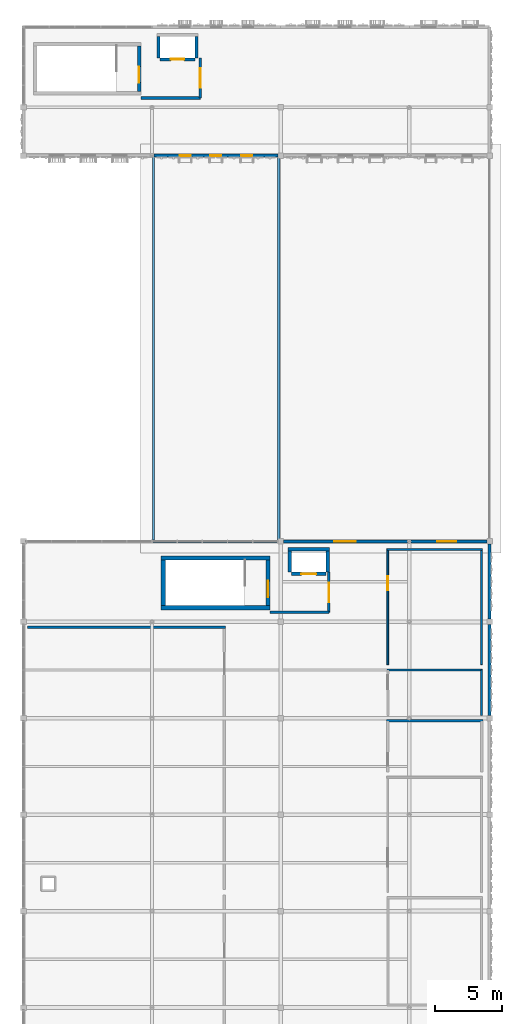
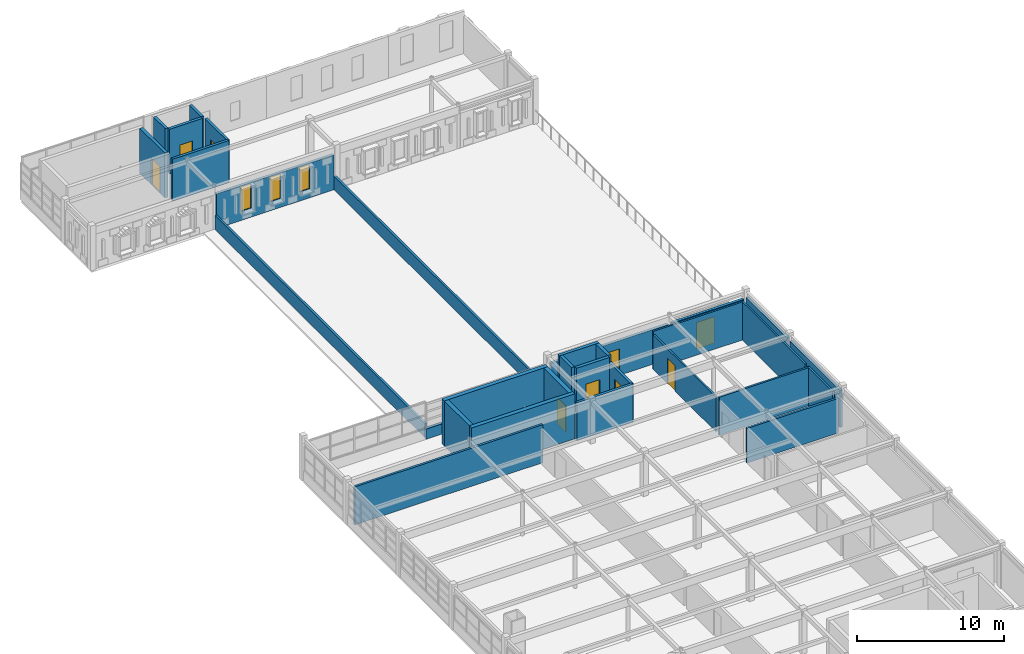
# One storey, part 17 of 25: 31 walls, 9 doors, 3 windows, 12 openings.
"""IFC4 building model written with IfcOpenShell, lengths in metres."""

import ifcopenshell
import ifcopenshell.guid

model = None  # the IFC model being written
_history = None  # IfcOwnerHistory: only IFC2X3 demands one
_inside = {}  # id of a spatial element -> (the spatial element, [elements in it])
_under = {}  # id of a project, library or spatial element -> (it, [spatial elements below it])
_declared = {}  # id of a project -> (the project, [libraries it declares])
_typed = {}  # id of a type object -> (the type object, [elements of that type])
_made_of = {}  # id of a material, layer set ... -> (it, [elements and type objects made of it])


def new_model(schema):
    """Start an empty IFC model of exactly this schema.

    Asked for "IFC4X3", IfcOpenShell would pick the latest addendum, in which some entities
    have other attributes; the version numbers below select the first issue.
    IFC2X3 requires an IfcOwnerHistory on every rooted entity: one is made here for all.
    """
    global model, _history
    if schema == "IFC4X3":
        model = ifcopenshell.file(schema_version=(4, 3, 0, 0))
    else:
        model = ifcopenshell.file(schema=schema)
    _inside.clear()
    _under.clear()
    _declared.clear()
    _typed.clear()
    _made_of.clear()
    _history = None
    if model.schema == "IFC2X3":
        org = make("IfcOrganization", Name="unknown")
        user = make(
            "IfcPersonAndOrganization",
            ThePerson=make("IfcPerson", FamilyName="unknown"),
            TheOrganization=org,
        )
        app = make(
            "IfcApplication",
            ApplicationDeveloper=org,
            Version="unknown",
            ApplicationFullName="unknown",
            ApplicationIdentifier="unknown",
        )
        _history = make(
            "IfcOwnerHistory",
            OwningUser=user,
            OwningApplication=app,
            ChangeAction="ADDED",
            CreationDate=0,
        )
    return model


def make(cls, **values):
    """One entity of the class cls with the attributes given. An attribute that is None is left unset."""
    return model.create_entity(
        cls, **{name: value for name, value in values.items() if value is not None}
    )


def rooted(cls, **values):
    """An entity with a GlobalId (a new one), such as an element, a storey or a relation."""
    return make(cls, GlobalId=ifcopenshell.guid.new(), OwnerHistory=_history, **values)


def si_unit(unit_type, name, prefix=None):
    """IfcSIUnit, for example si_unit("LENGTHUNIT", "METRE", prefix="MILLI")."""
    return make("IfcSIUnit", UnitType=unit_type, Prefix=prefix, Name=name)


def assignment(units):
    """IfcUnitAssignment: the units of a project."""
    return None if units is None else make("IfcUnitAssignment", Units=units)


def point(xyz):
    """IfcCartesianPoint."""
    return None if xyz is None else make("IfcCartesianPoint", Coordinates=xyz)


def direction(xyz):
    """IfcDirection."""
    return None if xyz is None else make("IfcDirection", DirectionRatios=xyz)


def frame(location, z_axis=None, x_axis=None):
    """IfcAxis2Placement3D, a coordinate frame: its origin and axes. An axis left out is left unset."""
    return make(
        "IfcAxis2Placement3D",
        Location=point(location),
        Axis=direction(z_axis),
        RefDirection=direction(x_axis),
    )


def frame_2d(location, x_axis=None):
    """IfcAxis2Placement2D, a coordinate frame in the plane: its origin and x axis."""
    return make(
        "IfcAxis2Placement2D", Location=point(location), RefDirection=direction(x_axis)
    )


def origin():
    """The frame at (0, 0, 0) with its axes left unset."""
    return frame((0.0, 0.0, 0.0))


def place(relative_to, where):
    """IfcLocalPlacement: puts the frame where relative to a parent placement (None: the world)."""
    return make(
        "IfcLocalPlacement", PlacementRelTo=relative_to, RelativePlacement=where
    )


def context(
    kind, dimensions, precision=None, world=None, true_north=None, identifier=None
):
    """IfcGeometricRepresentationContext, for example the 3D "Model" context."""
    return make(
        "IfcGeometricRepresentationContext",
        ContextIdentifier=identifier,
        ContextType=kind,
        CoordinateSpaceDimension=dimensions,
        Precision=precision,
        WorldCoordinateSystem=world,
        TrueNorth=true_north,
    )


def subcontext(parent, identifier, kind, view, scale=None):
    """IfcGeometricRepresentationSubContext, for example "Body" below "Model"."""
    return make(
        "IfcGeometricRepresentationSubContext",
        ContextIdentifier=identifier,
        ContextType=kind,
        ParentContext=parent,
        TargetScale=scale,
        TargetView=view,
    )


def project(units=None, contexts=None):
    """IfcProject with its units and contexts."""
    return rooted(
        "IfcProject",
        Name="project",
        RepresentationContexts=contexts,
        UnitsInContext=assignment(units),
    )


def spatial(cls, under=None, at=None, **own):
    """A site, building, storey or space (cls), placed at a placement, below another one or the project."""
    s = rooted(cls, ObjectPlacement=at, **own)
    if under is not None:
        _under.setdefault(under.id(), (under, []))[1].append(s)
    return s


def profile(cls, at=None, kind="AREA", **sizes):
    """A parametric profile (cls). Its sizes go by their IFC names, for example OverallWidth=200.0."""
    return make(cls, ProfileType=kind, Position=at, **sizes)


def rectangle(**sizes):
    """IfcRectangleProfileDef."""
    return profile("IfcRectangleProfileDef", **sizes)


def extrude(swept, where, along, depth):
    """IfcExtrudedAreaSolid: the profile swept, set in the frame where, extruded along a direction by depth."""
    return make(
        "IfcExtrudedAreaSolid",
        SweptArea=swept,
        Position=where,
        ExtrudedDirection=direction(along),
        Depth=depth,
    )


def shape(context_of_items, identifier, shape_type, items):
    """IfcShapeRepresentation: the items that make up one representation, for example the "Body"."""
    return make(
        "IfcShapeRepresentation",
        ContextOfItems=context_of_items,
        RepresentationIdentifier=identifier,
        RepresentationType=shape_type,
        Items=items,
    )


def material(Name=None, Category=None):
    """IfcMaterial."""
    return make("IfcMaterial", Name=Name, Category=Category)


def layer(
    of_material, thickness, ventilated=None, Name=None, Category=None, Priority=None
):
    """IfcMaterialLayer: one layer of a wall or slab, of a material (None: an air gap)."""
    return make(
        "IfcMaterialLayer",
        Material=of_material,
        LayerThickness=thickness,
        IsVentilated=ventilated,
        Name=Name,
        Category=Category,
        Priority=Priority,
    )


def layer_set(layers, Name=None):
    """IfcMaterialLayerSet."""
    return make("IfcMaterialLayerSet", MaterialLayers=layers, LayerSetName=Name)


def made_of(thing, what):
    """Note that an element or type object is made of a material, layer set ...; save() writes the relation."""
    if what is not None:
        _made_of.setdefault(what.id(), (what, []))[1].append(thing)
    return thing


def type_object(cls, material=None, **own):
    """A type object (cls), such as IfcWallType, which elements share."""
    return made_of(rooted(cls, **own), material)


def element(
    cls,
    number,
    at=None,
    inside=None,
    cuts=None,
    type_object=None,
    material=None,
    context=None,
    identifier="Body",
    shape_type=None,
    held_by="IfcProductDefinitionShape",
    body=None,
    shapes=None,
    **own,
):
    """One element of the class cls, such as IfcWall. Its Tag is "e" and its number.

    at: its placement. inside: the storey or other place that contains it. cuts: it is an
    opening in that element (IfcRelVoidsElement). A single representation is given by context,
    identifier, shape_type and body (its items); several are given by shapes. held_by: the class
    of the entity that holds the representations. save() writes the other relations.
    """
    e = rooted(cls, Tag="e%d" % number, ObjectPlacement=at, **own)
    if body is not None:
        shapes = [shape(context, identifier, shape_type, body)]
    if shapes is not None:
        e.Representation = make(held_by, Representations=shapes)
    if inside is not None:
        _inside.setdefault(inside.id(), (inside, []))[1].append(e)
    if cuts is not None:
        rooted(
            "IfcRelVoidsElement", RelatingBuildingElement=cuts, RelatedOpeningElement=e
        )
    if type_object is not None:
        _typed.setdefault(type_object.id(), (type_object, []))[1].append(e)
    return made_of(e, material)


def fill(opening, filler):
    """IfcRelFillsElement: the door or window that sits in an opening."""
    return rooted(
        "IfcRelFillsElement",
        RelatingOpeningElement=opening,
        RelatedBuildingElement=filler,
    )


def aggregate(whole, parts):
    """IfcRelAggregates: a whole, such as a stair, and the parts it consists of."""
    return rooted("IfcRelAggregates", RelatingObject=whole, RelatedObjects=parts)


def save(model, path):
    """Write the relations noted so far, then the file.

    IfcRelAggregates (storeys below a building ...), IfcRelContainedInSpatialStructure (elements
    in a storey), IfcRelDefinesByType, IfcRelAssociatesMaterial and IfcRelDeclares: one each for
    every whole, place, type object, material and project.
    """
    for whole, parts in _under.values():
        aggregate(whole, parts)
    for where, things in _inside.values():
        rooted(
            "IfcRelContainedInSpatialStructure",
            RelatedElements=things,
            RelatingStructure=where,
        )
    for kind, things in _typed.values():
        rooted("IfcRelDefinesByType", RelatedObjects=things, RelatingType=kind)
    for what, things in _made_of.values():
        rooted("IfcRelAssociatesMaterial", RelatedObjects=things, RelatingMaterial=what)
    for by, libraries in _declared.values():
        rooted("IfcRelDeclares", RelatingContext=by, RelatedDefinitions=libraries)
    model.write(path)


model = new_model("IFC4")

# Units and contexts
model_context = context("Model", 3, precision=1e-05, world=origin(), true_north=direction((0.0, 1.0)))
body_context = subcontext(model_context, "Body", "Model", "MODEL_VIEW")
ifc_project = project(units=[si_unit("LENGTHUNIT", "METRE"), si_unit("AREAUNIT", "SQUARE_METRE"), si_unit("VOLUMEUNIT", "CUBIC_METRE"), si_unit("PLANEANGLEUNIT", "RADIAN"), si_unit("MASSUNIT", "GRAM", prefix="KILO")], contexts=[model_context])

# Site, building, storey
site_placement = place(None, origin())
site = spatial("IfcSite", under=ifc_project, at=site_placement, CompositionType="ELEMENT")
building_placement = place(site_placement, origin())
building = spatial("IfcBuilding", under=site, at=building_placement, Name="Nzembalo Square Collegiate School", CompositionType="ELEMENT")
storey_placement = place(building_placement, frame((0.0, 0.0, 21.080078125)))
storey = spatial("IfcBuildingStorey", under=building, at=storey_placement, Name="L05", CompositionType="ELEMENT", Elevation=21.080078125)

# Walls
ifc_material_1 = material(Name="Concrete C40/50", Category="concrete")
ifc_layer_1 = layer(ifc_material_1, 0.320068359375, Name="Concrete C40/50")
ifc_layer_set_1 = layer_set([ifc_layer_1], Name="Concrete C40/50")
wall_type_1 = type_object("IfcWallType", Name="SW01", PredefinedType="SHEAR", material=ifc_layer_set_1)
wall_1_placement = place(storey_placement, frame((141.239990234375, 45.60009765625, 0.0), z_axis=(0.0, 0.0, 1.0), x_axis=(0.0, 1.0, 0.0)))
element("IfcWall", 1, at=wall_1_placement, inside=storey, type_object=wall_type_1, Name="Core C5 stair shear wall W L05", PredefinedType="SHEAR", context=body_context, shape_type="SweptSolid", body=[
    extrude(rectangle(XDim=3.39990234375, YDim=0.320068359375, at=frame_2d((1.699951171875, 0.0))), origin(), (0.0, 0.0, 1.0), 3.739990234375),
])
for number, where, z_axis, x_axis, name in (
    (2, (141.080078125, 45.43994140625, 0.0), (0.0, 0.0, 1.0), (1.0, 0.0, 0.0), "Core C5 stair shear wall S L05"),
    (3, (141.080078125, 49.159912109375, 0.0), (0.0, 0.0, 1.0), (1.0, 0.0, 0.0), "Core C5 stair shear wall N L05"),
):
    element("IfcWall", number, at=place(storey_placement, frame(where, z_axis=z_axis, x_axis=x_axis)), inside=storey, type_object=wall_type_1, Name=name, PredefinedType="SHEAR", context=body_context, shape_type="SweptSolid", body=[
        extrude(rectangle(XDim=8.139892578125, YDim=0.320068359375, at=frame_2d((4.06982421875, 0.0))), origin(), (0.0, 0.0, 1.0), 3.739990234375),
    ])

# Wall, opening, door
wall_2_placement = place(storey_placement, frame((149.06005859375, 45.60009765625, 0.0), z_axis=(0.0, 0.0, 1.0), x_axis=(0.0, 1.0, 0.0)))
wall_2 = element("IfcWall", 4, at=wall_2_placement, inside=storey, type_object=wall_type_1, Name="Core C5 stair shear wall E L05", PredefinedType="SHEAR", context=body_context, shape_type="SweptSolid", body=[
    extrude(rectangle(XDim=3.39990234375, YDim=0.320068359375, at=frame_2d((1.699951171875, 0.0))), origin(), (0.0, 0.0, 1.0), 3.739990234375),
])
opening_1_placement = place(wall_2_placement, frame((0.64990234375, 0.0, 0.0)))
opening_1 = element("IfcOpeningElement", 5, at=opening_1_placement, cuts=wall_2, Name="Opening FD-056", PredefinedType="OPENING", context=body_context, shape_type="SweptSolid", body=[
    extrude(rectangle(XDim=1.199951171875, YDim=2.199951171875, at=frame_2d((0.60009765625, 1.10009765625))), frame((0.0, 0.169921875, 0.0), z_axis=(0.0, -1.0, 0.0), x_axis=(1.0, 0.0, 0.0)), (0.0, 0.0, 1.0), 0.340087890625),
])
ifc_material_2 = material(Name="Fire-rated steel acoustic door", Category="steel")
door_type_1 = type_object("IfcDoorType", Name="FD01", OperationType="NOTDEFINED", PredefinedType="DOOR", material=ifc_material_2)
door_1_placement = place(opening_1_placement, origin())
door_1 = element("IfcDoor", 6, at=door_1_placement, inside=storey, type_object=door_type_1, Name="Stair fire door FD-056", OperationType="SINGLE_SWING_RIGHT", OverallHeight=2.199951171875, OverallWidth=1.199951171875, PredefinedType="DOOR", context=body_context, shape_type="SweptSolid", body=[
    extrude(rectangle(XDim=1.199951171875, YDim=2.199951171875, at=frame_2d((0.60009765625, 1.10009765625))), frame((0.0, 0.02490234375, 0.0), z_axis=(0.0, -1.0, 0.0), x_axis=(1.0, 0.0, 0.0)), (0.0, 0.0, 1.0), 0.050048828125),
])
fill(opening_1, door_1)

ifc_material_3 = material(Name="Concrete C35/45", Category="concrete")
ifc_layer_2 = layer(ifc_material_3, 0.260009765625, Name="Concrete C35/45")
ifc_layer_set_2 = layer_set([ifc_layer_2], Name="Concrete C35/45")
wall_type_2 = type_object("IfcWallType", Name="SW04", PredefinedType="SHEAR", material=ifc_layer_set_2)
wall_3_placement = place(storey_placement, frame((139.429931640625, 84.0, 0.0), z_axis=(0.0, 0.0, 1.0), x_axis=(0.0, 1.0, 0.0)))
wall_3 = element("IfcWall", 7, at=wall_3_placement, inside=storey, type_object=wall_type_2, Name="Core C4 stair shear wall E L05", PredefinedType="SHEAR", context=body_context, shape_type="SweptSolid", body=[
    extrude(rectangle(XDim=3.39990234375, YDim=0.260009765625, at=frame_2d((1.699951171875, 0.0))), origin(), (0.0, 0.0, 1.0), 3.739990234375),
])
opening_2_placement = place(wall_3_placement, frame((0.64990234375, 0.0, 0.0)))
opening_2 = element("IfcOpeningElement", 8, at=opening_2_placement, cuts=wall_3, Name="Opening FD-042", PredefinedType="OPENING", context=body_context, shape_type="SweptSolid", body=[
    extrude(rectangle(XDim=1.199951171875, YDim=2.199951171875, at=frame_2d((0.60009765625, 1.10009765625))), frame((0.0, 0.14013671875, 0.0), z_axis=(0.0, -1.0, 0.0), x_axis=(1.0, 0.0, 0.0)), (0.0, 0.0, 1.0), 0.280029296875),
])
door_2_placement = place(opening_2_placement, origin())
door_2 = element("IfcDoor", 9, at=door_2_placement, inside=storey, type_object=door_type_1, Name="Stair fire door FD-042", OperationType="SINGLE_SWING_RIGHT", OverallHeight=2.199951171875, OverallWidth=1.199951171875, PredefinedType="DOOR", context=body_context, shape_type="SweptSolid", body=[
    extrude(rectangle(XDim=1.199951171875, YDim=2.199951171875, at=frame_2d((0.60009765625, 1.10009765625))), frame((0.0, 0.02490234375, 0.0), z_axis=(0.0, -1.0, 0.0), x_axis=(1.0, 0.0, 0.0)), (0.0, 0.0, 1.0), 0.050048828125),
])
fill(opening_2, door_2)

# Walls
ifc_material_4 = material(Name="Concrete C35/45", Category="concrete")
ifc_layer_3 = layer(ifc_material_4, 0.25, Name="Concrete C35/45")
ifc_layer_set_3 = layer_set([ifc_layer_3], Name="Concrete C35/45")
wall_type_3 = type_object("IfcWallType", Name="SW05", PredefinedType="SHEAR", material=ifc_layer_set_3)
for number, where, z_axis, x_axis, name in (
    (10, (150.675048828125, 48.10009765625, 0.0), (0.0, 0.0, 1.0), (0.0, 1.0, 0.0), "Lift LF4 shaft wall W L05"),
    (11, (153.52490234375, 48.10009765625, 0.0), (0.0, 0.0, 1.0), (0.0, 1.0, 0.0), "Lift LF4 shaft wall E L05"),
):
    element("IfcWall", number, at=place(storey_placement, frame(where, z_axis=z_axis, x_axis=x_axis)), inside=storey, type_object=wall_type_3, Name=name, PredefinedType="SHEAR", context=body_context, shape_type="SweptSolid", body=[
        extrude(rectangle(XDim=1.599853515625, YDim=0.25, at=frame_2d((0.7998046875, 0.0))), origin(), (0.0, 0.0, 1.0), 3.739990234375),
    ])
wall_4_placement = place(storey_placement, frame((150.550048828125, 49.824951171875, 0.0), z_axis=(0.0, 0.0, 1.0), x_axis=(1.0, 0.0, 0.0)))
element("IfcWall", 12, at=wall_4_placement, inside=storey, type_object=wall_type_3, Name="Lift LF4 shaft wall N L05", PredefinedType="SHEAR", context=body_context, shape_type="SweptSolid", body=[
    extrude(rectangle(XDim=3.099853515625, YDim=0.25, at=frame_2d((1.5498046875, 0.0))), origin(), (0.0, 0.0, 1.0), 3.739990234375),
])

# Wall, opening, door
wall_5_placement = place(storey_placement, frame((150.800048828125, 47.97509765625, 0.0), z_axis=(0.0, 0.0, 1.0), x_axis=(1.0, 0.0, 0.0)))
wall_5 = element("IfcWall", 13, at=wall_5_placement, inside=storey, type_object=wall_type_3, Name="Lift LF4 landing front wall L05", PredefinedType="SHEAR", context=body_context, shape_type="SweptSolid", body=[
    extrude(rectangle(XDim=2.599853515625, YDim=0.25, at=frame_2d((1.2998046875, 0.0))), origin(), (0.0, 0.0, 1.0), 3.739990234375),
])
opening_3_placement = place(wall_5_placement, frame((0.75, 0.0, 0.0)))
opening_3 = element("IfcOpeningElement", 14, at=opening_3_placement, cuts=wall_5, Name="Opening LD-LF4-L05", PredefinedType="OPENING", context=body_context, shape_type="SweptSolid", body=[
    extrude(rectangle(XDim=1.10009765625, YDim=2.14990234375, at=frame_2d((0.550048828125, 1.074951171875))), frame((0.0, 0.135009765625, 0.0), z_axis=(0.0, -1.0, 0.0), x_axis=(1.0, 0.0, 0.0)), (0.0, 0.0, 1.0), 0.27001953125),
])
ifc_material_5 = material(Name="Stainless-steel sliding landing door", Category="steel")
door_type_2 = type_object("IfcDoorType", Name="LD01", OperationType="DOUBLE_DOOR_SLIDING", PredefinedType="DOOR", material=ifc_material_5)
door_3_placement = place(opening_3_placement, origin())
door_3 = element("IfcDoor", 15, at=door_3_placement, inside=storey, type_object=door_type_2, Name="Sliding lift landing door LD-LF4-L05", OperationType="DOUBLE_DOOR_SLIDING", OverallHeight=2.14990234375, OverallWidth=1.10009765625, PredefinedType="DOOR", context=body_context, shape_type="SweptSolid", body=[
    extrude(rectangle(XDim=1.10009765625, YDim=2.14990234375, at=frame_2d((0.550048828125, 1.074951171875))), frame((0.0, 0.02490234375, 0.0), z_axis=(0.0, -1.0, 0.0), x_axis=(1.0, 0.0, 0.0)), (0.0, 0.0, 1.0), 0.050048828125),
])
fill(opening_3, door_3)

# Walls
ifc_material_6 = material(Name="Concrete C35/45", Category="concrete")
ifc_layer_4 = layer(ifc_material_6, 0.219970703125, Name="Concrete C35/45")
ifc_layer_set_4 = layer_set([ifc_layer_4], Name="Concrete C35/45")
wall_type_4 = type_object("IfcWallType", Name="SW08", PredefinedType="SHEAR", material=ifc_layer_set_4)
for number, where, z_axis, x_axis, name in (
    (16, (140.889892578125, 86.5, 0.0), (0.0, 0.0, 1.0), (0.0, 1.0, 0.0), "Lift LF3 shaft wall W L05"),
    (17, (143.7099609375, 86.5, 0.0), (0.0, 0.0, 1.0), (0.0, 1.0, 0.0), "Lift LF3 shaft wall E L05"),
):
    element("IfcWall", number, at=place(storey_placement, frame(where, z_axis=z_axis, x_axis=x_axis)), inside=storey, type_object=wall_type_4, Name=name, PredefinedType="SHEAR", context=body_context, shape_type="SweptSolid", body=[
        extrude(rectangle(XDim=1.60009765625, YDim=0.219970703125, at=frame_2d((0.800048828125, 0.0))), origin(), (0.0, 0.0, 1.0), 3.739990234375),
    ])

# Wall, opening, door
wall_6_placement = place(storey_placement, frame((141.0, 86.389892578125, 0.0), z_axis=(0.0, 0.0, 1.0), x_axis=(1.0, 0.0, 0.0)))
wall_6 = element("IfcWall", 18, at=wall_6_placement, inside=storey, type_object=wall_type_4, Name="Lift LF3 landing front wall L05", PredefinedType="SHEAR", context=body_context, shape_type="SweptSolid", body=[
    extrude(rectangle(XDim=2.60009765625, YDim=0.219970703125, at=frame_2d((1.300048828125, 0.0))), origin(), (0.0, 0.0, 1.0), 3.739990234375),
])
opening_4_placement = place(wall_6_placement, frame((0.800048828125, 0.0, 0.0)))
opening_4 = element("IfcOpeningElement", 19, at=opening_4_placement, cuts=wall_6, Name="Opening LD-LF3-L05", PredefinedType="OPENING", context=body_context, shape_type="SweptSolid", body=[
    extrude(rectangle(XDim=1.0, YDim=2.14990234375, at=frame_2d((0.5, 1.074951171875))), frame((0.0, 0.1201171875, 0.0), z_axis=(0.0, -1.0, 0.0), x_axis=(1.0, 0.0, 0.0)), (0.0, 0.0, 1.0), 0.239990234375),
])
ifc_material_7 = material(Name="Stainless-steel sliding landing door", Category="steel")
door_type_3 = type_object("IfcDoorType", Name="LD02", OperationType="DOUBLE_DOOR_SLIDING", PredefinedType="DOOR", material=ifc_material_7)
door_4_placement = place(opening_4_placement, origin())
door_4 = element("IfcDoor", 20, at=door_4_placement, inside=storey, type_object=door_type_3, Name="Sliding lift landing door LD-LF3-L05", OperationType="DOUBLE_DOOR_SLIDING", OverallHeight=2.14990234375, OverallWidth=1.0, PredefinedType="DOOR", context=body_context, shape_type="SweptSolid", body=[
    extrude(rectangle(XDim=1.0, YDim=2.14990234375, at=frame_2d((0.5, 1.074951171875))), frame((0.0, 0.02490234375, 0.0), z_axis=(0.0, -1.0, 0.0), x_axis=(1.0, 0.0, 0.0)), (0.0, 0.0, 1.0), 0.050048828125),
])
fill(opening_4, door_4)

# Wall
ifc_material_8 = material(Name="CLT CL24", Category="wood")
ifc_layer_5 = layer(ifc_material_8, 0.215087890625, Name="CLT CL24")
ifc_layer_set_5 = layer_set([ifc_layer_5], Name="CLT CL24")
wall_type_5 = type_object("IfcWallType", Name="W08", PredefinedType="SOLIDWALL", material=ifc_layer_set_5)
wall_7_placement = place(storey_placement, frame((140.39990234375, 50.39990234375, 0.0), z_axis=(0.0, 0.0, 1.0), x_axis=(1.0, 0.0, 0.0)))
element("IfcWall", 21, at=wall_7_placement, inside=storey, type_object=wall_type_5, Name="Spandrel wall W08 L05", PredefinedType="SOLIDWALL", context=body_context, shape_type="SweptSolid", body=[
    extrude(rectangle(XDim=9.38818359375, YDim=0.215087890625, at=frame_2d((4.694091796875, 0.0))), origin(), (0.0, 0.0, 1.0), 0.849853515625),
])

# Wall, opening, door
wall_8_placement = place(storey_placement, frame((150.2119140625, 50.39990234375, 0.0), z_axis=(0.0, 0.0, 1.0), x_axis=(1.0, 0.0, 0.0)))
wall_8 = element("IfcWall", 22, at=wall_8_placement, inside=storey, type_object=wall_type_5, Name="Exterior wall W08 L05", PredefinedType="SOLIDWALL", context=body_context, shape_type="SweptSolid", body=[
    extrude(rectangle(XDim=9.24951171875, YDim=0.215087890625, at=frame_2d((4.624755859375, 0.0))), origin(), (0.0, 0.0, 1.0), 2.884033203125),
])
opening_5_placement = place(wall_8_placement, frame((3.7880859375, 0.0, 0.0)))
opening_5 = element("IfcOpeningElement", 23, at=opening_5_placement, cuts=wall_8, Name="Opening TD-501", PredefinedType="OPENING", context=body_context, shape_type="SweptSolid", body=[
    extrude(rectangle(XDim=1.60009765625, YDim=2.199951171875, at=frame_2d((0.800048828125, 1.10009765625))), frame((0.0, 0.11767578125, 0.0), z_axis=(0.0, -1.0, 0.0), x_axis=(1.0, 0.0, 0.0)), (0.0, 0.0, 1.0), 0.235107421875),
])
ifc_material_9 = material(Name="Powder-coated steel and safety glass", Category="steel")
door_type_4 = type_object("IfcDoorType", Name="TD01", OperationType="DOUBLE_DOOR_SINGLE_SWING", PredefinedType="DOOR", material=ifc_material_9)
door_5_placement = place(opening_5_placement, origin())
door_5 = element("IfcDoor", 24, at=door_5_placement, inside=storey, type_object=door_type_4, Name="Exterior door TD-501", OperationType="DOUBLE_DOOR_SINGLE_SWING", OverallHeight=2.199951171875, OverallWidth=1.60009765625, PredefinedType="DOOR", context=body_context, shape_type="SweptSolid", body=[
    extrude(rectangle(XDim=1.60009765625, YDim=2.199951171875, at=frame_2d((0.800048828125, 1.10009765625))), frame((0.0, 0.02490234375, 0.0), z_axis=(0.0, -1.0, 0.0), x_axis=(1.0, 0.0, 0.0)), (0.0, 0.0, 1.0), 0.050048828125),
])
fill(opening_5, door_5)

wall_9_placement = place(storey_placement, frame((159.738525390625, 50.39990234375, 0.0), z_axis=(0.0, 0.0, 1.0), x_axis=(1.0, 0.0, 0.0)))
wall_9 = element("IfcWall", 25, at=wall_9_placement, inside=storey, type_object=wall_type_5, Name="Exterior wall W08 L05", PredefinedType="SOLIDWALL", context=body_context, shape_type="SweptSolid", body=[
    extrude(rectangle(XDim=5.6494140625, YDim=0.215087890625, at=frame_2d((2.82470703125, 0.0))), origin(), (0.0, 0.0, 1.0), 2.884033203125),
])
opening_6_placement = place(wall_9_placement, frame((1.96142578125, 0.0, 0.0)))
opening_6 = element("IfcOpeningElement", 26, at=opening_6_placement, cuts=wall_9, Name="Opening TD-502", PredefinedType="OPENING", context=body_context, shape_type="SweptSolid", body=[
    extrude(rectangle(XDim=1.39990234375, YDim=2.199951171875, at=frame_2d((0.699951171875, 1.10009765625))), frame((0.0, 0.11767578125, 0.0), z_axis=(0.0, -1.0, 0.0), x_axis=(1.0, 0.0, 0.0)), (0.0, 0.0, 1.0), 0.235107421875),
])
ifc_material_10 = material(Name="Powder-coated steel and safety glass", Category="steel")
door_type_5 = type_object("IfcDoorType", Name="TD02", OperationType="DOUBLE_DOOR_SINGLE_SWING", PredefinedType="DOOR", material=ifc_material_10)
door_6_placement = place(opening_6_placement, origin())
door_6 = element("IfcDoor", 27, at=door_6_placement, inside=storey, type_object=door_type_5, Name="Exterior door TD-502", OperationType="DOUBLE_DOOR_SINGLE_SWING", OverallHeight=2.199951171875, OverallWidth=1.39990234375, PredefinedType="DOOR", context=body_context, shape_type="SweptSolid", body=[
    extrude(rectangle(XDim=1.39990234375, YDim=2.199951171875, at=frame_2d((0.699951171875, 1.10009765625))), frame((0.0, 0.02490234375, 0.0), z_axis=(0.0, -1.0, 0.0), x_axis=(1.0, 0.0, 0.0)), (0.0, 0.0, 1.0), 0.050048828125),
])
fill(opening_6, door_6)

# Walls
wall_10_placement = place(storey_placement, frame((165.60009765625, 37.412109375, 0.0), z_axis=(0.0, 0.0, 1.0), x_axis=(0.0, 1.0, 0.0)))
element("IfcWall", 28, at=wall_10_placement, inside=storey, type_object=wall_type_5, Name="Exterior wall W08 L05", PredefinedType="SOLIDWALL", context=body_context, shape_type="SweptSolid", body=[
    extrude(rectangle(XDim=6.77587890625, YDim=0.215087890625, at=frame_2d((3.387939453125, 0.0))), origin(), (0.0, 0.0, 1.0), 3.073974609375),
])
wall_11_placement = place(storey_placement, frame((165.60009765625, 44.612060546875, 0.0), z_axis=(0.0, 0.0, 1.0), x_axis=(0.0, 1.0, 0.0)))
element("IfcWall", 29, at=wall_11_placement, inside=storey, type_object=wall_type_5, Name="Exterior wall W08 L05", PredefinedType="SOLIDWALL", context=body_context, shape_type="SweptSolid", body=[
    extrude(rectangle(XDim=5.575927734375, YDim=0.215087890625, at=frame_2d((2.7880859375, 0.0))), origin(), (0.0, 0.0, 1.0), 3.073974609375),
])

# Wall, openings, windows
wall_12_placement = place(storey_placement, frame((140.53857421875, 79.199951171875, 0.0), z_axis=(0.0, 0.0, 1.0), x_axis=(1.0, 0.0, 0.0)))
wall_12 = element("IfcWall", 30, at=wall_12_placement, inside=storey, type_object=wall_type_5, Name="Exterior wall W08 L05", PredefinedType="SOLIDWALL", context=body_context, shape_type="SweptSolid", body=[
    extrude(rectangle(XDim=9.24951171875, YDim=0.215087890625, at=frame_2d((4.624755859375, 0.0))), origin(), (0.0, 0.0, 1.0), 2.884033203125),
])
opening_7_placement = place(wall_12_placement, frame((1.91748046875, 0.0, 0.75)))
opening_7 = element("IfcOpeningElement", 31, at=opening_7_placement, cuts=wall_12, Name="Opening WN-L05-1147", PredefinedType="OPENING", context=body_context, shape_type="SweptSolid", body=[
    extrude(rectangle(XDim=0.820068359375, YDim=2.02001953125, at=frame_2d((0.41015625, 1.010009765625))), frame((0.0, 0.11767578125, 0.0), z_axis=(0.0, -1.0, 0.0), x_axis=(1.0, 0.0, 0.0)), (0.0, 0.0, 1.0), 0.235107421875),
])
opening_8_placement = place(wall_12_placement, frame((4.214599609375, 0.0, 0.75)))
opening_8 = element("IfcOpeningElement", 32, at=opening_8_placement, cuts=wall_12, Name="Opening WN-L05-1148", PredefinedType="OPENING", context=body_context, shape_type="SweptSolid", body=[
    extrude(rectangle(XDim=0.820068359375, YDim=2.02001953125, at=frame_2d((0.41015625, 1.010009765625))), frame((0.0, 0.11767578125, 0.0), z_axis=(0.0, -1.0, 0.0), x_axis=(1.0, 0.0, 0.0)), (0.0, 0.0, 1.0), 0.235107421875),
])
opening_9_placement = place(wall_12_placement, frame((6.51220703125, 0.0, 0.75)))
opening_9 = element("IfcOpeningElement", 33, at=opening_9_placement, cuts=wall_12, Name="Opening WN-L05-1149", PredefinedType="OPENING", context=body_context, shape_type="SweptSolid", body=[
    extrude(rectangle(XDim=0.820068359375, YDim=2.02001953125, at=frame_2d((0.41015625, 1.010009765625))), frame((0.0, 0.11767578125, 0.0), z_axis=(0.0, -1.0, 0.0), x_axis=(1.0, 0.0, 0.0)), (0.0, 0.0, 1.0), 0.235107421875),
])
ifc_material_11 = material(Name="Powder-coated aluminium and low-E double glazing", Category="aluminium")
window_type = type_object("IfcWindowType", Name="WN38", PartitioningType="SINGLE_PANEL", PredefinedType="WINDOW", material=ifc_material_11)
window_1_placement = place(opening_7_placement, origin())
window_1 = element("IfcWindow", 34, at=window_1_placement, inside=storey, type_object=window_type, Name="Lancet window WN-L05-1147", OverallHeight=2.02001953125, OverallWidth=0.820068359375, PartitioningType="SINGLE_PANEL", PredefinedType="WINDOW", context=body_context, shape_type="SweptSolid", body=[
    extrude(rectangle(XDim=0.820068359375, YDim=2.02001953125, at=frame_2d((0.41015625, 1.010009765625))), frame((0.0, 0.030029296875, 0.0), z_axis=(0.0, -1.0, 0.0), x_axis=(1.0, 0.0, 0.0)), (0.0, 0.0, 1.0), 0.06005859375),
])
fill(opening_7, window_1)
window_2_placement = place(opening_8_placement, origin())
window_2 = element("IfcWindow", 35, at=window_2_placement, inside=storey, type_object=window_type, Name="Lancet window WN-L05-1148", OverallHeight=2.02001953125, OverallWidth=0.820068359375, PartitioningType="SINGLE_PANEL", PredefinedType="WINDOW", context=body_context, shape_type="SweptSolid", body=[
    extrude(rectangle(XDim=0.820068359375, YDim=2.02001953125, at=frame_2d((0.41015625, 1.010009765625))), frame((0.0, 0.030029296875, 0.0), z_axis=(0.0, -1.0, 0.0), x_axis=(1.0, 0.0, 0.0)), (0.0, 0.0, 1.0), 0.06005859375),
])
fill(opening_8, window_2)
window_3_placement = place(opening_9_placement, origin())
window_3 = element("IfcWindow", 36, at=window_3_placement, inside=storey, type_object=window_type, Name="Lancet window WN-L05-1149", OverallHeight=2.02001953125, OverallWidth=0.820068359375, PartitioningType="SINGLE_PANEL", PredefinedType="WINDOW", context=body_context, shape_type="SweptSolid", body=[
    extrude(rectangle(XDim=0.820068359375, YDim=2.02001953125, at=frame_2d((0.41015625, 1.010009765625))), frame((0.0, 0.030029296875, 0.0), z_axis=(0.0, -1.0, 0.0), x_axis=(1.0, 0.0, 0.0)), (0.0, 0.0, 1.0), 0.06005859375),
])
fill(opening_9, window_3)

# Wall, opening, door
ifc_material_12 = material(Name="Concrete blockwork C25/30", Category="masonry")
ifc_layer_6 = layer(ifc_material_12, 0.199951171875, Name="Concrete blockwork C25/30")
ifc_layer_set_6 = layer_set([ifc_layer_6], Name="Concrete blockwork C25/30")
wall_type_6 = type_object("IfcWallType", Name="W11", PredefinedType="PARTITIONING", material=ifc_layer_set_6)
wall_13_placement = place(storey_placement, frame((144.0, 83.5, 0.0), z_axis=(0.0, 0.0, 1.0), x_axis=(0.0, 1.0, 0.0)))
wall_13 = element("IfcWall", 37, at=wall_13_placement, inside=storey, type_object=wall_type_6, Name="Core C4 EI 60 lobby wall E L05", PredefinedType="PARTITIONING", context=body_context, shape_type="SweptSolid", body=[
    extrude(rectangle(XDim=3.0, YDim=0.199951171875, at=frame_2d((1.5, 0.0))), origin(), (0.0, 0.0, 1.0), 3.493896484375),
])
opening_10_placement = place(wall_13_placement, frame((0.77490234375, 0.0, 0.0)))
opening_10 = element("IfcOpeningElement", 38, at=opening_10_placement, cuts=wall_13, Name="Opening FD-043", PredefinedType="OPENING", context=body_context, shape_type="SweptSolid", body=[
    extrude(rectangle(XDim=1.449951171875, YDim=2.199951171875, at=frame_2d((0.72509765625, 1.10009765625))), frame((0.0, 0.10986328125, 0.0), z_axis=(0.0, -1.0, 0.0), x_axis=(1.0, 0.0, 0.0)), (0.0, 0.0, 1.0), 0.219970703125),
])
ifc_material_13 = material(Name="Fire-rated double lobby door")
door_type_6 = type_object("IfcDoorType", Name="FD02", OperationType="DOUBLE_DOOR_SINGLE_SWING", PredefinedType="DOOR", material=ifc_material_13)
door_7_placement = place(opening_10_placement, frame((1.449951171875, 0.0, 0.0), z_axis=(0.0, 0.0, 1.0), x_axis=(-1.0, 0.0, 0.0)))
door_7 = element("IfcDoor", 39, at=door_7_placement, inside=storey, type_object=door_type_6, Name="Protected lobby fire door FD-043", OperationType="DOUBLE_DOOR_SINGLE_SWING", OverallHeight=2.199951171875, OverallWidth=1.449951171875, PredefinedType="DOOR", context=body_context, shape_type="SweptSolid", body=[
    extrude(rectangle(XDim=1.449951171875, YDim=2.199951171875, at=frame_2d((0.72509765625, 1.10009765625))), frame((0.0, 0.02490234375, 0.0), z_axis=(0.0, -1.0, 0.0), x_axis=(1.0, 0.0, 0.0)), (0.0, 0.0, 1.0), 0.050048828125),
])
fill(opening_10, door_7)

# Wall
wall_14_placement = place(storey_placement, frame((139.56005859375, 83.5, 0.0), z_axis=(0.0, 0.0, 1.0), x_axis=(1.0, 0.0, 0.0)))
element("IfcWall", 40, at=wall_14_placement, inside=storey, type_object=wall_type_6, Name="Core C4 EI 60 lobby wall S L05", PredefinedType="PARTITIONING", context=body_context, shape_type="SweptSolid", body=[
    extrude(rectangle(XDim=4.43994140625, YDim=0.199951171875, at=frame_2d((2.219970703125, 0.0))), origin(), (0.0, 0.0, 1.0), 3.493896484375),
])

# Wall, opening, door
wall_15_placement = place(storey_placement, frame((153.60009765625, 45.10009765625, 0.0), z_axis=(0.0, 0.0, 1.0), x_axis=(0.0, 1.0, 0.0)))
wall_15 = element("IfcWall", 41, at=wall_15_placement, inside=storey, type_object=wall_type_6, Name="Core C5 EI 60 lobby wall E L05", PredefinedType="PARTITIONING", context=body_context, shape_type="SweptSolid", body=[
    extrude(rectangle(XDim=3.0, YDim=0.199951171875, at=frame_2d((1.5, 0.0))), origin(), (0.0, 0.0, 1.0), 3.163818359375),
])
opening_11_placement = place(wall_15_placement, frame((0.77490234375, 0.0, 0.0)))
opening_11 = element("IfcOpeningElement", 42, at=opening_11_placement, cuts=wall_15, Name="Opening FD-057", PredefinedType="OPENING", context=body_context, shape_type="SweptSolid", body=[
    extrude(rectangle(XDim=1.449951171875, YDim=2.199951171875, at=frame_2d((0.72509765625, 1.10009765625))), frame((0.0, 0.10986328125, 0.0), z_axis=(0.0, -1.0, 0.0), x_axis=(1.0, 0.0, 0.0)), (0.0, 0.0, 1.0), 0.219970703125),
])
door_8_placement = place(opening_11_placement, frame((1.449951171875, 0.0, 0.0), z_axis=(0.0, 0.0, 1.0), x_axis=(-1.0, 0.0, 0.0)))
door_8 = element("IfcDoor", 43, at=door_8_placement, inside=storey, type_object=door_type_6, Name="Protected lobby fire door FD-057", OperationType="DOUBLE_DOOR_SINGLE_SWING", OverallHeight=2.199951171875, OverallWidth=1.449951171875, PredefinedType="DOOR", context=body_context, shape_type="SweptSolid", body=[
    extrude(rectangle(XDim=1.449951171875, YDim=2.199951171875, at=frame_2d((0.72509765625, 1.10009765625))), frame((0.0, 0.02490234375, 0.0), z_axis=(0.0, -1.0, 0.0), x_axis=(1.0, 0.0, 0.0)), (0.0, 0.0, 1.0), 0.050048828125),
])
fill(opening_11, door_8)

# Walls
wall_16_placement = place(storey_placement, frame((149.219970703125, 45.10009765625, 0.0), z_axis=(0.0, 0.0, 1.0), x_axis=(1.0, 0.0, 0.0)))
element("IfcWall", 44, at=wall_16_placement, inside=storey, type_object=wall_type_6, Name="Core C5 EI 60 lobby wall S L05", PredefinedType="PARTITIONING", context=body_context, shape_type="SweptSolid", body=[
    extrude(rectangle(XDim=4.380126953125, YDim=0.199951171875, at=frame_2d((2.18994140625, 0.0))), origin(), (0.0, 0.0, 1.0), 3.163818359375),
])
ifc_material_14 = material(Name="Acoustic gypsum and steel stud", Category="steel")
ifc_layer_7 = layer(ifc_material_14, 0.175048828125, Name="Acoustic gypsum and steel stud")
ifc_layer_set_7 = layer_set([ifc_layer_7], Name="Acoustic gypsum and steel stud")
wall_type_7 = type_object("IfcWallType", Name="W14", PredefinedType="PARTITIONING", material=ifc_layer_set_7)
wall_17_placement = place(storey_placement, frame((131.112548828125, 44.0, 0.0), z_axis=(0.0, 0.0, 1.0), x_axis=(1.0, 0.0, 0.0)))
element("IfcWall", 45, at=wall_17_placement, inside=storey, type_object=wall_type_7, Name="Interior partition W14 L05-014-N", PredefinedType="PARTITIONING", context=body_context, shape_type="SweptSolid", body=[
    extrude(rectangle(XDim=14.77490234375, YDim=0.175048828125, at=frame_2d((7.387451171875, 0.0))), origin(), (0.0, 0.0, 1.0), 3.163818359375),
])
wall_18_placement = place(storey_placement, frame((157.91259765625, 37.0, 0.0), z_axis=(0.0, 0.0, 1.0), x_axis=(1.0, 0.0, 0.0)))
element("IfcWall", 46, at=wall_18_placement, inside=storey, type_object=wall_type_7, Name="Interior partition W14 L05-017-N", PredefinedType="PARTITIONING", context=body_context, shape_type="SweptSolid", body=[
    extrude(rectangle(XDim=7.1748046875, YDim=0.175048828125, at=frame_2d((3.58740234375, 0.0))), origin(), (0.0, 0.0, 1.0), 2.884033203125),
])
ifc_material_15 = material(Name="Acoustic double-board stud")
ifc_layer_8 = layer(ifc_material_15, 0.14990234375, Name="Acoustic double-board stud")
ifc_layer_set_8 = layer_set([ifc_layer_8], Name="Acoustic double-board stud")
wall_type_8 = type_object("IfcWallType", Name="W17", PredefinedType="PARTITIONING", material=ifc_layer_set_8)
wall_19_placement = place(storey_placement, frame((157.925048828125, 40.800048828125, 0.0), z_axis=(0.0, 0.0, 1.0), x_axis=(1.0, 0.0, 0.0)))
element("IfcWall", 47, at=wall_19_placement, inside=storey, type_object=wall_type_8, Name="Interior partition W17 L05-018-N", PredefinedType="PARTITIONING", context=body_context, shape_type="SweptSolid", body=[
    extrude(rectangle(XDim=7.14990234375, YDim=0.14990234375, at=frame_2d((3.574951171875, 0.0))), origin(), (0.0, 0.0, 1.0), 3.163818359375),
])
wall_20_placement = place(storey_placement, frame((165.0, 37.39990234375, 0.0), z_axis=(0.0, 0.0, 1.0), x_axis=(0.0, 1.0, 0.0)))
element("IfcWall", 48, at=wall_20_placement, inside=storey, type_object=wall_type_8, Name="Interior partition W17 L05-018-E", PredefinedType="PARTITIONING", context=body_context, shape_type="SweptSolid", body=[
    extrude(rectangle(XDim=3.400146484375, YDim=0.14990234375, at=frame_2d((1.7001953125, 0.0))), origin(), (0.0, 0.0, 1.0), 3.183837890625),
])
ifc_material_16 = material(Name="Cement-board wet-room partition")
ifc_layer_9 = layer(ifc_material_16, 0.135009765625, Name="Cement-board wet-room partition")
ifc_layer_set_9 = layer_set([ifc_layer_9], Name="Cement-board wet-room partition")
wall_type_9 = type_object("IfcWallType", Name="W19", PredefinedType="PARTITIONING", material=ifc_layer_set_9)
wall_21_placement = place(storey_placement, frame((157.9326171875, 49.800048828125, 0.0), z_axis=(0.0, 0.0, 1.0), x_axis=(1.0, 0.0, 0.0)))
element("IfcWall", 49, at=wall_21_placement, inside=storey, type_object=wall_type_9, Name="Interior partition W19 L05-019-N", PredefinedType="PARTITIONING", context=body_context, shape_type="SweptSolid", body=[
    extrude(rectangle(XDim=7.134765625, YDim=0.135009765625, at=frame_2d((3.5673828125, 0.0))), origin(), (0.0, 0.0, 1.0), 3.163818359375),
])

# Wall, opening, door
wall_22_placement = place(storey_placement, frame((158.0, 41.199951171875, 0.0), z_axis=(0.0, 0.0, 1.0), x_axis=(0.0, 1.0, 0.0)))
wall_22 = element("IfcWall", 50, at=wall_22_placement, inside=storey, type_object=wall_type_9, Name="Interior partition W19 L05-019-W", PredefinedType="PARTITIONING", context=body_context, shape_type="SweptSolid", body=[
    extrude(rectangle(XDim=8.60009765625, YDim=0.135009765625, at=frame_2d((4.300048828125, 0.0))), origin(), (0.0, 0.0, 1.0), 2.884033203125),
])
opening_12_placement = place(wall_22_placement, frame((5.570068359375, 0.0, 0.0)))
opening_12 = element("IfcOpeningElement", 51, at=opening_12_placement, cuts=wall_22, Name="Opening D-L05-113", PredefinedType="OPENING", context=body_context, shape_type="SweptSolid", body=[
    extrude(rectangle(XDim=1.0400390625, YDim=2.1201171875, at=frame_2d((0.52001953125, 1.06005859375))), frame((0.0, 0.07763671875, 0.0), z_axis=(0.0, -1.0, 0.0), x_axis=(1.0, 0.0, 0.0)), (0.0, 0.0, 1.0), 0.155029296875),
])
ifc_material_17 = material(Name="Accessible outward-swing WC door")
door_type_7 = type_object("IfcDoorType", Name="D09", OperationType="NOTDEFINED", PredefinedType="DOOR", material=ifc_material_17)
door_9_placement = place(opening_12_placement, origin())
door_9 = element("IfcDoor", 52, at=door_9_placement, inside=storey, type_object=door_type_7, Name="Interior door D-L05-113 (L05 Boys', Girls' and Wheelchair Accessible WCs)", OperationType="SINGLE_SWING_RIGHT", OverallHeight=2.1201171875, OverallWidth=1.0400390625, PredefinedType="DOOR", context=body_context, shape_type="SweptSolid", body=[
    extrude(rectangle(XDim=1.0400390625, YDim=2.1201171875, at=frame_2d((0.52001953125, 1.06005859375))), frame((0.0, 0.02490234375, 0.0), z_axis=(0.0, -1.0, 0.0), x_axis=(1.0, 0.0, 0.0)), (0.0, 0.0, 1.0), 0.050048828125),
])
fill(opening_12, door_9)

# Walls
wall_23_placement = place(storey_placement, frame((165.0, 41.199951171875, 0.0), z_axis=(0.0, 0.0, 1.0), x_axis=(0.0, 1.0, 0.0)))
element("IfcWall", 53, at=wall_23_placement, inside=storey, type_object=wall_type_9, Name="Interior partition W19 L05-019-E", PredefinedType="PARTITIONING", context=body_context, shape_type="SweptSolid", body=[
    extrude(rectangle(XDim=8.60009765625, YDim=0.135009765625, at=frame_2d((4.300048828125, 0.0))), origin(), (0.0, 0.0, 1.0), 3.183837890625),
])
ifc_material_18 = material(Name="Concrete C30/37", Category="concrete")
ifc_layer_10 = layer(ifc_material_18, 0.169921875, Name="Concrete C30/37")
ifc_layer_set_10 = layer_set([ifc_layer_10], Name="Concrete C30/37")
wall_type_10 = type_object("IfcWallType", Name="WP03", PredefinedType="PARAPET", material=ifc_layer_set_10)
for number, where, z_axis, x_axis, name in (
    (54, (149.85009765625, 50.5, 0.0), (0.0, 0.0, 1.0), (0.0, 1.0, 0.0), "Roof parapet WP03-34"),
    (55, (140.5, 79.10009765625, 0.0), (0.0, 0.0, 1.0), (0.0, -1.0, 0.0), "Roof parapet WP03-35"),
):
    element("IfcWall", number, at=place(storey_placement, frame(where, z_axis=z_axis, x_axis=x_axis)), inside=storey, type_object=wall_type_10, Name=name, PredefinedType="PARAPET", context=body_context, shape_type="SweptSolid", body=[
        extrude(rectangle(XDim=28.60009765625, YDim=0.169921875, at=frame_2d((14.300048828125, 0.0))), origin(), (0.0, 0.0, 1.0), 1.14990234375),
    ])

save(model, "model.ifc")
